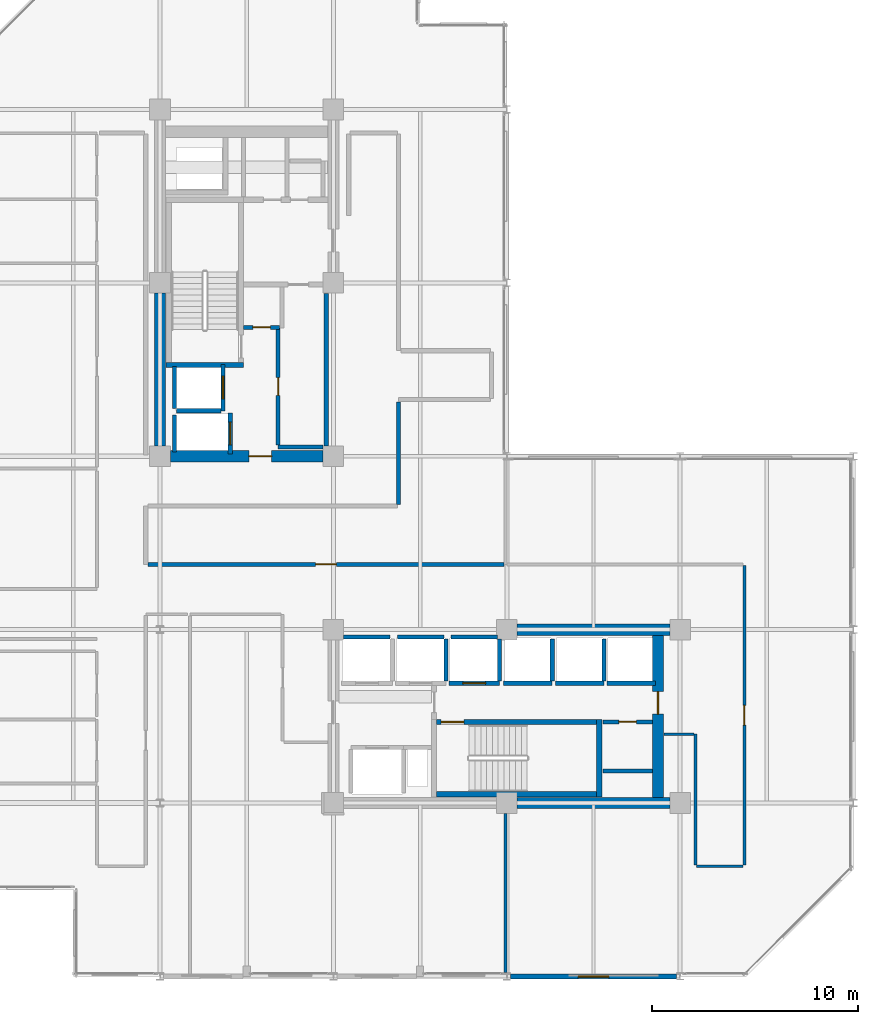
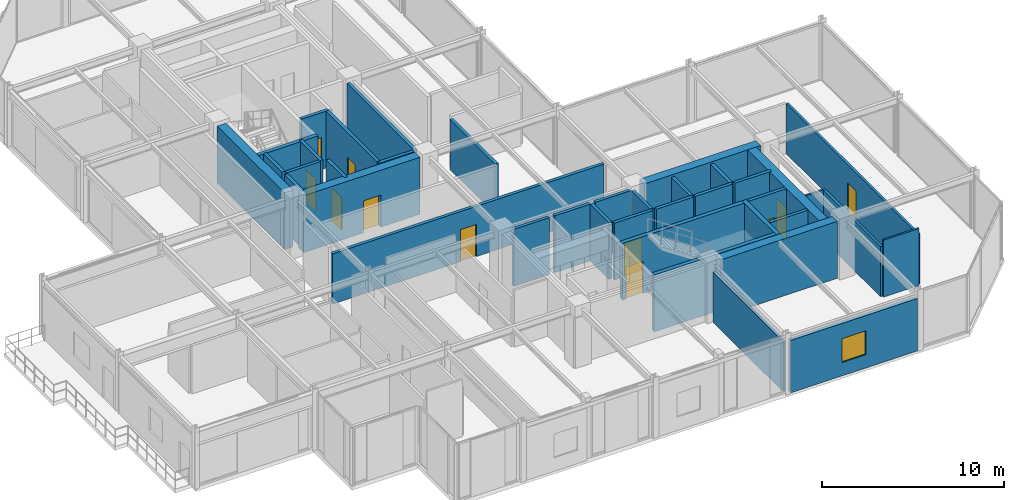
# One storey, part 25 of 29: 39 walls, 11 doors, 1 window, 12 openings.
"""IFC4 building model written with IfcOpenShell, lengths in metres."""

from ifc_helpers import new_model, si_unit, direction, frame, frame_2d, origin, place, context, subcontext, project, spatial, rectangle, extrude, material, layer, layer_set, type_object, element, fill, save


model = new_model("IFC4")

# Units and contexts
model_context = context("Model", 3, precision=1e-05, world=origin(), true_north=direction((0.0, 1.0)))
body_context = subcontext(model_context, "Body", "Model", "MODEL_VIEW")
ifc_project = project(units=[si_unit("LENGTHUNIT", "METRE"), si_unit("AREAUNIT", "SQUARE_METRE"), si_unit("VOLUMEUNIT", "CUBIC_METRE"), si_unit("PLANEANGLEUNIT", "RADIAN"), si_unit("MASSUNIT", "GRAM", prefix="KILO")], contexts=[model_context])

# Site, building, storey
site_placement = place(None, origin())
site = spatial("IfcSite", under=ifc_project, at=site_placement, CompositionType="ELEMENT")
building_placement = place(site_placement, origin())
building = spatial("IfcBuilding", under=site, at=building_placement, Name="Nerrivon Quay Data Exchange", CompositionType="ELEMENT")
storey_placement = place(building_placement, frame((0.0, 0.0, 187.800048828125)))
storey = spatial("IfcBuildingStorey", under=building, at=storey_placement, Name="L44", CompositionType="ELEMENT", Elevation=187.800048828125)

# Wall, opening, window
ifc_material_1 = material(Name="Architectural terracotta precast concrete N50 (50 MPa)", Category="masonry")
ifc_layer_1 = layer(ifc_material_1, 0.239990234375)
ifc_layer_set_1 = layer_set([ifc_layer_1], Name="Architectural terracotta precast concrete N50 (50 MPa)")
wall_type_1 = type_object("IfcWallType", Name="EW-PREC-240", PredefinedType="STANDARD", material=ifc_layer_set_1)
wall_1_placement = place(storey_placement, frame((33.425048828125, 0.0, 0.0), z_axis=(0.0, 0.0, 1.0), x_axis=(-1.0, 0.0, 0.0)))
wall_1 = element("IfcWall", 1, at=wall_1_placement, inside=storey, type_object=wall_type_1, Name="L44 Podium Precast Spandrel Wall 23", PredefinedType="STANDARD", context=body_context, shape_type="SweptSolid", body=[
    extrude(rectangle(XDim=8.050048828125, YDim=0.239990234375, at=frame_2d((4.02490234375, 0.0))), origin(), (0.0, 0.0, 1.0), 3.52490234375),
])
opening_1_placement = place(wall_1_placement, frame((3.27490234375, 0.0, 0.89990234375)))
opening_1 = element("IfcOpeningElement", 2, at=opening_1_placement, cuts=wall_1, Name="Opening WN4", PredefinedType="OPENING", context=body_context, shape_type="SweptSolid", body=[
    extrude(rectangle(XDim=1.5, YDim=1.60009765625, at=frame_2d((0.75, 0.800048828125))), frame((0.0, 0.1298828125, 0.0), z_axis=(0.0, -1.0, 0.0), x_axis=(1.0, 0.0, 0.0)), (0.0, 0.0, 1.0), 0.260009765625),
])
ifc_material_2 = material(Name="Double-glazed low-E solar control glass", Category="glass")
window_type = type_object("IfcWindowType", Name="WIN-W4-1500x1600", PartitioningType="SINGLE_PANEL", PredefinedType="WINDOW", material=ifc_material_2)
window_placement = place(opening_1_placement, origin())
window = element("IfcWindow", 3, at=window_placement, inside=storey, type_object=window_type, Name="L44 Solar Facade Window 23", OverallHeight=1.60009765625, OverallWidth=1.5, PartitioningType="SINGLE_PANEL", PredefinedType="WINDOW", context=body_context, shape_type="SweptSolid", body=[
    extrude(rectangle(XDim=1.5, YDim=1.60009765625, at=frame_2d((0.75, 0.800048828125))), frame((0.0, 0.030029296875, 0.0), z_axis=(0.0, -1.0, 0.0), x_axis=(1.0, 0.0, 0.0)), (0.0, 0.0, 1.0), 0.06005859375),
])
fill(opening_1, window)

# Wall
ifc_material_3 = material(Name="Concrete S65 (65 MPa)", Category="concrete")
ifc_layer_2 = layer(ifc_material_3, 0.550048828125)
ifc_layer_set_2 = layer_set([ifc_layer_2], Name="Concrete S65 (65 MPa)")
wall_type_2 = type_object("IfcWallType", Name="WALL-CW-700", PredefinedType="SHEAR", material=ifc_layer_set_2)
wall_2_placement = place(storey_placement, frame((8.39990234375, 25.699951171875, 0.0), z_axis=(0.0, 0.0, 1.0), x_axis=(0.0, 1.0, 0.0)))
element("IfcWall", 4, at=wall_2_placement, inside=storey, type_object=wall_type_2, Name="L44 West Split-Core Shear Wall WCW-W1", PredefinedType="SHEAR", context=body_context, shape_type="SweptSolid", body=[
    extrude(rectangle(XDim=7.400146484375, YDim=0.550048828125, at=frame_2d((3.7001953125, 0.0))), origin(), (0.0, 0.0, 1.0), 3.824951171875),
])

# Wall, opening, door
wall_3_placement = place(storey_placement, frame((8.89990234375, 25.199951171875, 0.0), z_axis=(0.0, 0.0, 1.0), x_axis=(1.0, 0.0, 0.0)))
wall_3 = element("IfcWall", 5, at=wall_3_placement, inside=storey, type_object=wall_type_2, Name="L44 West Split-Core Shear Wall WCW-S1", PredefinedType="SHEAR", context=body_context, shape_type="SweptSolid", body=[
    extrude(rectangle(XDim=7.400146484375, YDim=0.550048828125, at=frame_2d((3.7001953125, 0.0))), origin(), (0.0, 0.0, 1.0), 3.824951171875),
])
opening_2_placement = place(wall_3_placement, frame((3.800048828125, 0.0, 0.0)))
opening_2 = element("IfcOpeningElement", 6, at=opening_2_placement, cuts=wall_3, Name="Opening FD-120", PredefinedType="OPENING", context=body_context, shape_type="SweptSolid", body=[
    extrude(rectangle(XDim=1.10009765625, YDim=2.14990234375, at=frame_2d((0.550048828125, 1.074951171875))), frame((0.0, 0.284912109375, 0.0), z_axis=(0.0, -1.0, 0.0), x_axis=(1.0, 0.0, 0.0)), (0.0, 0.0, 1.0), 0.570068359375),
])
ifc_material_4 = material(Name="Powder-coated galvanized steel sheet", Category="steel")
door_type_1 = type_object("IfcDoorType", Name="DR-FD120-1100", OperationType="NOTDEFINED", PredefinedType="DOOR", material=ifc_material_4)
door_1_placement = place(opening_2_placement, origin())
door_1 = element("IfcDoor", 7, at=door_1_placement, inside=storey, type_object=door_type_1, Name="L44 West Core Lobby Fire Door", OperationType="SINGLE_SWING_RIGHT", OverallHeight=2.14990234375, OverallWidth=1.10009765625, PredefinedType="DOOR", context=body_context, shape_type="SweptSolid", body=[
    extrude(rectangle(XDim=1.10009765625, YDim=2.14990234375, at=frame_2d((0.550048828125, 1.074951171875))), frame((0.0, 0.02490234375, 0.0), z_axis=(0.0, -1.0, 0.0), x_axis=(1.0, 0.0, 0.0)), (0.0, 0.0, 1.0), 0.050048828125),
])
fill(opening_2, door_1)

# Wall
wall_4_placement = place(storey_placement, frame((25.699951171875, 8.39990234375, 0.0), z_axis=(0.0, 0.0, 1.0), x_axis=(1.0, 0.0, 0.0)))
element("IfcWall", 8, at=wall_4_placement, inside=storey, type_object=wall_type_2, Name="L44 East Split-Core Shear Wall ECW-S2", PredefinedType="SHEAR", context=body_context, shape_type="SweptSolid", body=[
    extrude(rectangle(XDim=7.400146484375, YDim=0.550048828125, at=frame_2d((3.7001953125, 0.0))), origin(), (0.0, 0.0, 1.0), 3.824951171875),
])

# Wall, opening, door
wall_5_placement = place(storey_placement, frame((32.52490234375, 8.675048828125, 0.0), z_axis=(0.0, 0.0, 1.0), x_axis=(0.0, 1.0, 0.0)))
wall_5 = element("IfcWall", 9, at=wall_5_placement, inside=storey, type_object=wall_type_2, Name="L44 East Split-Core Shear Wall ECW-E1", PredefinedType="SHEAR", context=body_context, shape_type="SweptSolid", body=[
    extrude(rectangle(XDim=7.849853515625, YDim=0.550048828125, at=frame_2d((3.9248046875, 0.0))), origin(), (0.0, 0.0, 1.0), 3.824951171875),
])
opening_3_placement = place(wall_5_placement, frame((4.02490234375, 0.0, 0.0)))
opening_3 = element("IfcOpeningElement", 10, at=opening_3_placement, cuts=wall_5, Name="Opening FD-120", PredefinedType="OPENING", context=body_context, shape_type="SweptSolid", body=[
    extrude(rectangle(XDim=1.10009765625, YDim=2.14990234375, at=frame_2d((0.550048828125, 1.074951171875))), frame((0.0, 0.284912109375, 0.0), z_axis=(0.0, -1.0, 0.0), x_axis=(1.0, 0.0, 0.0)), (0.0, 0.0, 1.0), 0.570068359375),
])
door_2_placement = place(opening_3_placement, origin())
door_2 = element("IfcDoor", 11, at=door_2_placement, inside=storey, type_object=door_type_1, Name="L44 East Core Lobby Fire Door", OperationType="SINGLE_SWING_LEFT", OverallHeight=2.14990234375, OverallWidth=1.10009765625, PredefinedType="DOOR", context=body_context, shape_type="SweptSolid", body=[
    extrude(rectangle(XDim=1.10009765625, YDim=2.14990234375, at=frame_2d((0.550048828125, 1.074951171875))), frame((0.0, 0.02490234375, 0.0), z_axis=(0.0, -1.0, 0.0), x_axis=(1.0, 0.0, 0.0)), (0.0, 0.0, 1.0), 0.050048828125),
])
fill(opening_3, door_2)

# Wall
wall_6_placement = place(storey_placement, frame((25.699951171875, 16.800048828125, 0.0), z_axis=(0.0, 0.0, 1.0), x_axis=(1.0, 0.0, 0.0)))
element("IfcWall", 12, at=wall_6_placement, inside=storey, type_object=wall_type_2, Name="L44 East Split-Core Shear Wall ECW-N1", PredefinedType="SHEAR", context=body_context, shape_type="SweptSolid", body=[
    extrude(rectangle(XDim=7.400146484375, YDim=0.550048828125, at=frame_2d((3.7001953125, 0.0))), origin(), (0.0, 0.0, 1.0), 3.824951171875),
])

# Wall, opening, door
ifc_material_5 = material(Name="Gypsum plasterboard on cold-formed framing", Category="gypsum")
ifc_layer_3 = layer(ifc_material_5, 0.199951171875)
ifc_layer_set_3 = layer_set([ifc_layer_3], Name="Gypsum plasterboard on cold-formed framing")
wall_type_3 = type_object("IfcWallType", Name="WALL-FW-200", PredefinedType="PARTITIONING", material=ifc_layer_set_3)
wall_7_placement = place(storey_placement, frame((11.449951171875, 27.39990234375, 0.0), z_axis=(0.0, 0.0, 1.0), x_axis=(0.0, 1.0, 0.0)))
wall_7 = element("IfcWall", 13, at=wall_7_placement, inside=storey, type_object=wall_type_3, Name="L44 Lift Front Wall FFL-1", PredefinedType="PARTITIONING", context=body_context, shape_type="SweptSolid", body=[
    extrude(rectangle(XDim=2.25, YDim=0.199951171875, at=frame_2d((1.125, 0.0))), origin(), (0.0, 0.0, 1.0), 3.824951171875),
])
opening_4_placement = place(wall_7_placement, frame((0.574951171875, 0.0, 0.0)))
opening_4 = element("IfcOpeningElement", 14, at=opening_4_placement, cuts=wall_7, Name="Opening LD-120", PredefinedType="OPENING", context=body_context, shape_type="SweptSolid", body=[
    extrude(rectangle(XDim=1.10009765625, YDim=2.199951171875, at=frame_2d((0.550048828125, 1.10009765625))), frame((0.0, 0.10986328125, 0.0), z_axis=(0.0, -1.0, 0.0), x_axis=(1.0, 0.0, 0.0)), (0.0, 0.0, 1.0), 0.219970703125),
])
door_type_2 = type_object("IfcDoorType", Name="DR-LIFT-LD120", OperationType="DOUBLE_DOOR_SLIDING", PredefinedType="DOOR", material=ifc_material_4)
door_3_placement = place(opening_4_placement, origin())
door_3 = element("IfcDoor", 15, at=door_3_placement, inside=storey, type_object=door_type_2, Name="L44 Lift Landing Sliding Door FFL-1", OperationType="DOUBLE_DOOR_SLIDING", OverallHeight=2.199951171875, OverallWidth=1.10009765625, PredefinedType="DOOR", context=body_context, shape_type="SweptSolid", body=[
    extrude(rectangle(XDim=1.10009765625, YDim=2.199951171875, at=frame_2d((0.550048828125, 1.10009765625))), frame((0.0, 0.02490234375, 0.0), z_axis=(0.0, -1.0, 0.0), x_axis=(1.0, 0.0, 0.0)), (0.0, 0.0, 1.0), 0.050048828125),
])
fill(opening_4, door_3)

# Walls
wall_8_placement = place(storey_placement, frame((9.10009765625, 27.5, 0.0), z_axis=(0.0, 0.0, 1.0), x_axis=(0.0, 1.0, 0.0)))
element("IfcWall", 16, at=wall_8_placement, inside=storey, type_object=wall_type_3, Name="L44 Lift Shaft Wall FFL-1 WEST", PredefinedType="PARTITIONING", context=body_context, shape_type="SweptSolid", body=[
    extrude(rectangle(XDim=2.050048828125, YDim=0.199951171875, at=frame_2d((1.02490234375, 0.0))), origin(), (0.0, 0.0, 1.0), 3.824951171875),
])
wall_9_placement = place(storey_placement, frame((9.199951171875, 27.39990234375, 0.0), z_axis=(0.0, 0.0, 1.0), x_axis=(1.0, 0.0, 0.0)))
element("IfcWall", 17, at=wall_9_placement, inside=storey, type_object=wall_type_3, Name="L44 Lift Shaft Wall FFL-1 SOUTH", PredefinedType="PARTITIONING", context=body_context, shape_type="SweptSolid", body=[
    extrude(rectangle(XDim=2.150146484375, YDim=0.199951171875, at=frame_2d((1.0751953125, 0.0))), origin(), (0.0, 0.0, 1.0), 3.824951171875),
])

# Wall, opening, door
wall_10_placement = place(storey_placement, frame((11.800048828125, 25.300048828125, 0.0), z_axis=(0.0, 0.0, 1.0), x_axis=(0.0, 1.0, 0.0)))
wall_10 = element("IfcWall", 18, at=wall_10_placement, inside=storey, type_object=wall_type_3, Name="L44 Lift Front Wall SVL-1", PredefinedType="PARTITIONING", context=body_context, shape_type="SweptSolid", body=[
    extrude(rectangle(XDim=2.0, YDim=0.199951171875, at=frame_2d((1.0, 0.0))), origin(), (0.0, 0.0, 1.0), 3.824951171875),
])
opening_5_placement = place(wall_10_placement, frame((0.449951171875, 0.0, 0.0)))
opening_5 = element("IfcOpeningElement", 19, at=opening_5_placement, cuts=wall_10, Name="Opening LD-120", PredefinedType="OPENING", context=body_context, shape_type="SweptSolid", body=[
    extrude(rectangle(XDim=1.10009765625, YDim=2.199951171875, at=frame_2d((0.550048828125, 1.10009765625))), frame((0.0, 0.10986328125, 0.0), z_axis=(0.0, -1.0, 0.0), x_axis=(1.0, 0.0, 0.0)), (0.0, 0.0, 1.0), 0.219970703125),
])
door_4_placement = place(opening_5_placement, origin())
door_4 = element("IfcDoor", 20, at=door_4_placement, inside=storey, type_object=door_type_2, Name="L44 Lift Landing Sliding Door SVL-1", OperationType="DOUBLE_DOOR_SLIDING", OverallHeight=2.199951171875, OverallWidth=1.10009765625, PredefinedType="DOOR", context=body_context, shape_type="SweptSolid", body=[
    extrude(rectangle(XDim=1.10009765625, YDim=2.199951171875, at=frame_2d((0.550048828125, 1.10009765625))), frame((0.0, 0.02490234375, 0.0), z_axis=(0.0, -1.0, 0.0), x_axis=(1.0, 0.0, 0.0)), (0.0, 0.0, 1.0), 0.050048828125),
])
fill(opening_5, door_4)

# Walls
wall_11_placement = place(storey_placement, frame((9.10009765625, 25.39990234375, 0.0), z_axis=(0.0, 0.0, 1.0), x_axis=(0.0, 1.0, 0.0)))
element("IfcWall", 21, at=wall_11_placement, inside=storey, type_object=wall_type_3, Name="L44 Lift Shaft Wall SVL-1 WEST", PredefinedType="PARTITIONING", context=body_context, shape_type="SweptSolid", body=[
    extrude(rectangle(XDim=1.800048828125, YDim=0.199951171875, at=frame_2d((0.89990234375, 0.0))), origin(), (0.0, 0.0, 1.0), 3.824951171875),
])
wall_12_placement = place(storey_placement, frame((17.300048828125, 16.449951171875, 0.0), z_axis=(0.0, 0.0, 1.0), x_axis=(1.0, 0.0, 0.0)))
element("IfcWall", 22, at=wall_12_placement, inside=storey, type_object=wall_type_3, Name="L44 Lift Shaft Wall PL4 NORTH", PredefinedType="PARTITIONING", context=body_context, shape_type="SweptSolid", body=[
    extrude(rectangle(XDim=2.25, YDim=0.199951171875, at=frame_2d((1.125, 0.0))), origin(), (0.0, 0.0, 1.0), 3.824951171875),
])
wall_13_placement = place(storey_placement, frame((22.25, 14.300048828125, 0.0), z_axis=(0.0, 0.0, 1.0), x_axis=(0.0, 1.0, 0.0)))
element("IfcWall", 23, at=wall_13_placement, inside=storey, type_object=wall_type_3, Name="L44 Lift Shaft Wall PL5 EAST", PredefinedType="PARTITIONING", context=body_context, shape_type="SweptSolid", body=[
    extrude(rectangle(XDim=2.050048828125, YDim=0.199951171875, at=frame_2d((1.02490234375, 0.0))), origin(), (0.0, 0.0, 1.0), 3.824951171875),
])
wall_14_placement = place(storey_placement, frame((19.89990234375, 16.449951171875, 0.0), z_axis=(0.0, 0.0, 1.0), x_axis=(1.0, 0.0, 0.0)))
element("IfcWall", 24, at=wall_14_placement, inside=storey, type_object=wall_type_3, Name="L44 Lift Shaft Wall PL5 NORTH", PredefinedType="PARTITIONING", context=body_context, shape_type="SweptSolid", body=[
    extrude(rectangle(XDim=2.25, YDim=0.199951171875, at=frame_2d((1.125, 0.0))), origin(), (0.0, 0.0, 1.0), 3.824951171875),
])

# Wall, opening, door
wall_15_placement = place(storey_placement, frame((22.39990234375, 14.199951171875, 0.0), z_axis=(0.0, 0.0, 1.0), x_axis=(1.0, 0.0, 0.0)))
wall_15 = element("IfcWall", 25, at=wall_15_placement, inside=storey, type_object=wall_type_3, Name="L44 Lift Front Wall PL6", PredefinedType="PARTITIONING", context=body_context, shape_type="SweptSolid", body=[
    extrude(rectangle(XDim=2.4501953125, YDim=0.199951171875, at=frame_2d((1.22509765625, 0.0))), origin(), (0.0, 0.0, 1.0), 3.824951171875),
])
opening_6_placement = place(wall_15_placement, frame((0.675048828125, 0.0, 0.0)))
opening_6 = element("IfcOpeningElement", 26, at=opening_6_placement, cuts=wall_15, Name="Opening LD-120", PredefinedType="OPENING", context=body_context, shape_type="SweptSolid", body=[
    extrude(rectangle(XDim=1.10009765625, YDim=2.199951171875, at=frame_2d((0.550048828125, 1.10009765625))), frame((0.0, 0.10986328125, 0.0), z_axis=(0.0, -1.0, 0.0), x_axis=(1.0, 0.0, 0.0)), (0.0, 0.0, 1.0), 0.219970703125),
])
door_5_placement = place(opening_6_placement, origin())
door_5 = element("IfcDoor", 27, at=door_5_placement, inside=storey, type_object=door_type_2, Name="L44 Lift Landing Sliding Door PL6", OperationType="DOUBLE_DOOR_SLIDING", OverallHeight=2.199951171875, OverallWidth=1.10009765625, PredefinedType="DOOR", context=body_context, shape_type="SweptSolid", body=[
    extrude(rectangle(XDim=1.10009765625, YDim=2.199951171875, at=frame_2d((0.550048828125, 1.10009765625))), frame((0.0, 0.02490234375, 0.0), z_axis=(0.0, -1.0, 0.0), x_axis=(1.0, 0.0, 0.0)), (0.0, 0.0, 1.0), 0.050048828125),
])
fill(opening_6, door_5)

# Walls
wall_16_placement = place(storey_placement, frame((24.85009765625, 14.300048828125, 0.0), z_axis=(0.0, 0.0, 1.0), x_axis=(0.0, 1.0, 0.0)))
element("IfcWall", 28, at=wall_16_placement, inside=storey, type_object=wall_type_3, Name="L44 Lift Shaft Wall PL6 EAST", PredefinedType="PARTITIONING", context=body_context, shape_type="SweptSolid", body=[
    extrude(rectangle(XDim=2.050048828125, YDim=0.199951171875, at=frame_2d((1.02490234375, 0.0))), origin(), (0.0, 0.0, 1.0), 3.824951171875),
])
wall_17_placement = place(storey_placement, frame((22.5, 16.449951171875, 0.0), z_axis=(0.0, 0.0, 1.0), x_axis=(1.0, 0.0, 0.0)))
element("IfcWall", 29, at=wall_17_placement, inside=storey, type_object=wall_type_3, Name="L44 Lift Shaft Wall PL6 NORTH", PredefinedType="PARTITIONING", context=body_context, shape_type="SweptSolid", body=[
    extrude(rectangle(XDim=2.25, YDim=0.199951171875, at=frame_2d((1.125, 0.0))), origin(), (0.0, 0.0, 1.0), 3.824951171875),
])
wall_18_placement = place(storey_placement, frame((25.050048828125, 14.199951171875, 0.0), z_axis=(0.0, 0.0, 1.0), x_axis=(1.0, 0.0, 0.0)))
element("IfcWall", 30, at=wall_18_placement, inside=storey, type_object=wall_type_3, Name="L44 Lift Front Wall PL7", PredefinedType="PARTITIONING", context=body_context, shape_type="SweptSolid", body=[
    extrude(rectangle(XDim=2.349853515625, YDim=0.199951171875, at=frame_2d((1.1748046875, 0.0))), origin(), (0.0, 0.0, 1.0), 3.824951171875),
])
wall_19_placement = place(storey_placement, frame((27.39990234375, 14.300048828125, 0.0), z_axis=(0.0, 0.0, 1.0), x_axis=(0.0, 1.0, 0.0)))
element("IfcWall", 31, at=wall_19_placement, inside=storey, type_object=wall_type_3, Name="L44 Lift Shaft Wall PL7 EAST", PredefinedType="PARTITIONING", context=body_context, shape_type="SweptSolid", body=[
    extrude(rectangle(XDim=2.050048828125, YDim=0.199951171875, at=frame_2d((1.02490234375, 0.0))), origin(), (0.0, 0.0, 1.0), 3.824951171875),
])
wall_20_placement = place(storey_placement, frame((27.550048828125, 14.199951171875, 0.0), z_axis=(0.0, 0.0, 1.0), x_axis=(1.0, 0.0, 0.0)))
element("IfcWall", 32, at=wall_20_placement, inside=storey, type_object=wall_type_3, Name="L44 Lift Front Wall PL8", PredefinedType="PARTITIONING", context=body_context, shape_type="SweptSolid", body=[
    extrude(rectangle(XDim=2.349853515625, YDim=0.199951171875, at=frame_2d((1.1748046875, 0.0))), origin(), (0.0, 0.0, 1.0), 3.824951171875),
])
wall_21_placement = place(storey_placement, frame((29.89990234375, 14.300048828125, 0.0), z_axis=(0.0, 0.0, 1.0), x_axis=(0.0, 1.0, 0.0)))
element("IfcWall", 33, at=wall_21_placement, inside=storey, type_object=wall_type_3, Name="L44 Lift Shaft Wall PL8 EAST", PredefinedType="PARTITIONING", context=body_context, shape_type="SweptSolid", body=[
    extrude(rectangle(XDim=2.050048828125, YDim=0.199951171875, at=frame_2d((1.02490234375, 0.0))), origin(), (0.0, 0.0, 1.0), 3.824951171875),
])
wall_22_placement = place(storey_placement, frame((30.050048828125, 14.199951171875, 0.0), z_axis=(0.0, 0.0, 1.0), x_axis=(1.0, 0.0, 0.0)))
element("IfcWall", 34, at=wall_22_placement, inside=storey, type_object=wall_type_3, Name="L44 Lift Front Wall PL9", PredefinedType="PARTITIONING", context=body_context, shape_type="SweptSolid", body=[
    extrude(rectangle(XDim=2.349853515625, YDim=0.199951171875, at=frame_2d((1.1748046875, 0.0))), origin(), (0.0, 0.0, 1.0), 3.824951171875),
])
wall_23_placement = place(storey_placement, frame((14.1201171875, 25.64990234375, 0.0), z_axis=(0.0, 0.0, 1.0), x_axis=(1.0, 0.0, 0.0)))
element("IfcWall", 35, at=wall_23_placement, inside=storey, type_object=wall_type_3, Name="L44 Partition Core Equipment Store", PredefinedType="PARTITIONING", context=body_context, shape_type="SweptSolid", body=[
    extrude(rectangle(XDim=2.1748046875, YDim=0.199951171875, at=frame_2d((1.08740234375, 0.0))), origin(), (0.0, 0.0, 1.0), 3.824951171875),
])
wall_24_placement = place(storey_placement, frame((16.449951171875, 25.705078125, 0.0), z_axis=(0.0, 0.0, 1.0), x_axis=(0.0, 1.0, 0.0)))
element("IfcWall", 36, at=wall_24_placement, inside=storey, type_object=wall_type_3, Name="L44 Partition Core Equipment Store", PredefinedType="PARTITIONING", context=body_context, shape_type="SweptSolid", body=[
    extrude(rectangle(XDim=7.389892578125, YDim=0.199951171875, at=frame_2d((3.69482421875, 0.0))), origin(), (0.0, 0.0, 1.0), 3.824951171875),
])

# Wall, opening, door
wall_25_placement = place(storey_placement, frame((14.1201171875, 31.39990234375, 0.0), z_axis=(0.0, 0.0, 1.0), x_axis=(0.0, -1.0, 0.0)))
wall_25 = element("IfcWall", 37, at=wall_25_placement, inside=storey, type_object=wall_type_3, Name="L44 Partition Core Equipment Store", PredefinedType="PARTITIONING", context=body_context, shape_type="SweptSolid", body=[
    extrude(rectangle(XDim=5.64599609375, YDim=0.199951171875, at=frame_2d((2.822998046875, 0.0))), origin(), (0.0, 0.0, 1.0), 3.824951171875),
])
opening_7_placement = place(wall_25_placement, frame((2.39794921875, 0.0, 0.0)))
opening_7 = element("IfcOpeningElement", 38, at=opening_7_placement, cuts=wall_25, Name="Opening FD-60S", PredefinedType="OPENING", context=body_context, shape_type="SweptSolid", body=[
    extrude(rectangle(XDim=0.85009765625, YDim=2.14990234375, at=frame_2d((0.425048828125, 1.074951171875))), frame((0.0, 0.10986328125, 0.0), z_axis=(0.0, -1.0, 0.0), x_axis=(1.0, 0.0, 0.0)), (0.0, 0.0, 1.0), 0.219970703125),
])
ifc_material_6 = material(Name="Engineered hardwood timber", Category="wood")
door_type_3 = type_object("IfcDoorType", Name="DR-FD60-850", OperationType="NOTDEFINED", PredefinedType="DOOR", material=ifc_material_6)
door_6_placement = place(opening_7_placement, origin())
door_6 = element("IfcDoor", 39, at=door_6_placement, inside=storey, type_object=door_type_3, Name="L44 Door Core Equipment Store", OperationType="SINGLE_SWING_LEFT", OverallHeight=2.14990234375, OverallWidth=0.85009765625, PredefinedType="DOOR", context=body_context, shape_type="SweptSolid", body=[
    extrude(rectangle(XDim=0.85009765625, YDim=2.14990234375, at=frame_2d((0.425048828125, 1.074951171875))), frame((0.0, 0.02490234375, 0.0), z_axis=(0.0, -1.0, 0.0), x_axis=(1.0, 0.0, 0.0)), (0.0, 0.0, 1.0), 0.050048828125),
])
fill(opening_7, door_6)

wall_26_placement = place(storey_placement, frame((12.4541015625, 31.43994140625, 0.0), z_axis=(0.0, 0.0, 1.0), x_axis=(1.0, 0.0, 0.0)))
wall_26 = element("IfcWall", 40, at=wall_26_placement, inside=storey, type_object=wall_type_3, Name="L44 Partition Optical Patch Closet", PredefinedType="PARTITIONING", context=body_context, shape_type="SweptSolid", body=[
    extrude(rectangle(XDim=1.725830078125, YDim=0.199951171875, at=frame_2d((0.86279296875, 0.0))), origin(), (0.0, 0.0, 1.0), 3.824951171875),
])
opening_8_placement = place(wall_26_placement, frame((0.43798828125, 0.0, 0.0)))
opening_8 = element("IfcOpeningElement", 41, at=opening_8_placement, cuts=wall_26, Name="Opening FD-60S", PredefinedType="OPENING", context=body_context, shape_type="SweptSolid", body=[
    extrude(rectangle(XDim=0.85009765625, YDim=2.14990234375, at=frame_2d((0.425048828125, 1.074951171875))), frame((0.0, 0.10986328125, 0.0), z_axis=(0.0, -1.0, 0.0), x_axis=(1.0, 0.0, 0.0)), (0.0, 0.0, 1.0), 0.219970703125),
])
door_7_placement = place(opening_8_placement, origin())
door_7 = element("IfcDoor", 42, at=door_7_placement, inside=storey, type_object=door_type_3, Name="L44 Door Optical Patch Closet", OperationType="SINGLE_SWING_RIGHT", OverallHeight=2.14990234375, OverallWidth=0.85009765625, PredefinedType="DOOR", context=body_context, shape_type="SweptSolid", body=[
    extrude(rectangle(XDim=0.85009765625, YDim=2.14990234375, at=frame_2d((0.425048828125, 1.074951171875))), frame((0.0, 0.02490234375, 0.0), z_axis=(0.0, -1.0, 0.0), x_axis=(1.0, 0.0, 0.0)), (0.0, 0.0, 1.0), 0.050048828125),
])
fill(opening_8, door_7)

wall_27_placement = place(storey_placement, frame((32.24609375, 12.330078125, 0.0), z_axis=(0.0, 0.0, 1.0), x_axis=(-1.0, 0.0, 0.0)))
wall_27 = element("IfcWall", 43, at=wall_27_placement, inside=storey, type_object=wall_type_3, Name="L44 Partition East Supply Store", PredefinedType="PARTITIONING", context=body_context, shape_type="SweptSolid", body=[
    extrude(rectangle(XDim=2.39599609375, YDim=0.199951171875, at=frame_2d((1.197998046875, 0.0))), origin(), (0.0, 0.0, 1.0), 3.824951171875),
])
opening_9_placement = place(wall_27_placement, frame((0.77294921875, 0.0, 0.0)))
opening_9 = element("IfcOpeningElement", 44, at=opening_9_placement, cuts=wall_27, Name="Opening FD-60S", PredefinedType="OPENING", context=body_context, shape_type="SweptSolid", body=[
    extrude(rectangle(XDim=0.85009765625, YDim=2.14990234375, at=frame_2d((0.425048828125, 1.074951171875))), frame((0.0, 0.10986328125, 0.0), z_axis=(0.0, -1.0, 0.0), x_axis=(1.0, 0.0, 0.0)), (0.0, 0.0, 1.0), 0.219970703125),
])
door_8_placement = place(opening_9_placement, origin())
door_8 = element("IfcDoor", 45, at=door_8_placement, inside=storey, type_object=door_type_3, Name="L44 Door East Supply Store", OperationType="SINGLE_SWING_LEFT", OverallHeight=2.14990234375, OverallWidth=0.85009765625, PredefinedType="DOOR", context=body_context, shape_type="SweptSolid", body=[
    extrude(rectangle(XDim=0.85009765625, YDim=2.14990234375, at=frame_2d((0.425048828125, 1.074951171875))), frame((0.0, 0.02490234375, 0.0), z_axis=(0.0, -1.0, 0.0), x_axis=(1.0, 0.0, 0.0)), (0.0, 0.0, 1.0), 0.050048828125),
])
fill(opening_9, door_8)

# Wall
wall_28_placement = place(storey_placement, frame((29.85009765625, 9.949951171875, 0.0), z_axis=(0.0, 0.0, 1.0), x_axis=(1.0, 0.0, 0.0)))
element("IfcWall", 46, at=wall_28_placement, inside=storey, type_object=wall_type_3, Name="L44 Partition East Supply Store", PredefinedType="PARTITIONING", context=body_context, shape_type="SweptSolid", body=[
    extrude(rectangle(XDim=2.39599609375, YDim=0.199951171875, at=frame_2d((1.197998046875, 0.0))), origin(), (0.0, 0.0, 1.0), 3.824951171875),
])

# Wall, opening, door
wall_29_placement = place(storey_placement, frame((7.81396484375, 19.9599609375, 0.0), z_axis=(0.0, 0.0, 1.0), x_axis=(1.0, 0.0, 0.0)))
wall_29 = element("IfcWall", 47, at=wall_29_placement, inside=storey, type_object=wall_type_3, Name="L44 Partition Colocation Data Workspace 1", PredefinedType="PARTITIONING", context=body_context, shape_type="SweptSolid", body=[
    extrude(rectangle(XDim=17.25244140625, YDim=0.199951171875, at=frame_2d((8.626220703125, 0.0))), origin(), (0.0, 0.0, 1.0), 3.370849609375),
])
opening_10_placement = place(wall_29_placement, frame((8.126220703125, 0.0, 0.0)))
opening_10 = element("IfcOpeningElement", 48, at=opening_10_placement, cuts=wall_29, Name="Opening FD-60", PredefinedType="OPENING", context=body_context, shape_type="SweptSolid", body=[
    extrude(rectangle(XDim=1.0, YDim=2.14990234375, at=frame_2d((0.5, 1.074951171875))), frame((0.0, 0.10986328125, 0.0), z_axis=(0.0, -1.0, 0.0), x_axis=(1.0, 0.0, 0.0)), (0.0, 0.0, 1.0), 0.219970703125),
])
door_type_4 = type_object("IfcDoorType", Name="DR-FD60-1000", OperationType="NOTDEFINED", PredefinedType="DOOR", material=ifc_material_6)
door_9_placement = place(opening_10_placement, origin())
door_9 = element("IfcDoor", 49, at=door_9_placement, inside=storey, type_object=door_type_4, Name="L44 Door Colocation Data Workspace 1", OperationType="SINGLE_SWING_RIGHT", OverallHeight=2.14990234375, OverallWidth=1.0, PredefinedType="DOOR", context=body_context, shape_type="SweptSolid", body=[
    extrude(rectangle(XDim=1.0, YDim=2.14990234375, at=frame_2d((0.5, 1.074951171875))), frame((0.0, 0.02490234375, 0.0), z_axis=(0.0, -1.0, 0.0), x_axis=(1.0, 0.0, 0.0)), (0.0, 0.0, 1.0), 0.050048828125),
])
fill(opening_10, door_9)

# Walls
wall_30_placement = place(storey_placement, frame((19.9599609375, 27.8359375, 0.0), z_axis=(0.0, 0.0, 1.0), x_axis=(0.0, -1.0, 0.0)))
element("IfcWall", 50, at=wall_30_placement, inside=storey, type_object=wall_type_3, Name="L44 Partition Colocation Data Workspace 1", PredefinedType="PARTITIONING", context=body_context, shape_type="SweptSolid", body=[
    extrude(rectangle(XDim=4.98583984375, YDim=0.199951171875, at=frame_2d((2.492919921875, 0.0))), origin(), (0.0, 0.0, 1.0), 3.364990234375),
])
ifc_layer_4 = layer(ifc_material_5, 0.1201171875)
ifc_layer_set_4 = layer_set([ifc_layer_4], Name="Gypsum plasterboard on cold-formed framing")
wall_type_4 = type_object("IfcWallType", Name="WALL-PT-120", PredefinedType="PARTITIONING", material=ifc_layer_set_4)
wall_31_placement = place(storey_placement, frame((36.64990234375, 5.340087890625, 0.0), z_axis=(0.0, 0.0, 1.0), x_axis=(-1.0, 0.0, 0.0)))
element("IfcWall", 51, at=wall_31_placement, inside=storey, type_object=wall_type_4, Name="L44 Partition Technical Library", PredefinedType="PARTITIONING", context=body_context, shape_type="SweptSolid", body=[
    extrude(rectangle(XDim=2.25, YDim=0.1201171875, at=frame_2d((1.125, 0.0))), origin(), (0.0, 0.0, 1.0), 3.824951171875),
])
wall_32_placement = place(storey_placement, frame((34.260986328125, 11.739990234375, 0.0), z_axis=(0.0, 0.0, 1.0), x_axis=(-1.0, 0.0, 0.0)))
element("IfcWall", 52, at=wall_32_placement, inside=storey, type_object=wall_type_4, Name="L44 Partition Technical Library", PredefinedType="PARTITIONING", context=body_context, shape_type="SweptSolid", body=[
    extrude(rectangle(XDim=1.45703125, YDim=0.1201171875, at=frame_2d((0.728515625, 0.0))), origin(), (0.0, 0.0, 1.0), 3.370849609375),
])
ifc_layer_5 = layer(ifc_material_5, 0.14990234375)
ifc_layer_set_5 = layer_set([ifc_layer_5], Name="Gypsum plasterboard on cold-formed framing")
wall_type_5 = type_object("IfcWallType", Name="WALL-PT-150", PredefinedType="PARTITIONING", material=ifc_layer_set_5)
wall_33_placement = place(storey_placement, frame((25.137939453125, 0.195068359375, 0.0), z_axis=(0.0, 0.0, 1.0), x_axis=(0.0, 1.0, 0.0)))
element("IfcWall", 53, at=wall_33_placement, inside=storey, type_object=wall_type_5, Name="L44 Partition Client Conference Room 1", PredefinedType="PARTITIONING", context=body_context, shape_type="SweptSolid", body=[
    extrude(rectangle(XDim=7.684814453125, YDim=0.14990234375, at=frame_2d((3.84228515625, 0.0))), origin(), (0.0, 0.0, 1.0), 3.370849609375),
])

# Wall, opening, door
wall_34_placement = place(storey_placement, frame((36.7099609375, 19.89990234375, 0.0), z_axis=(0.0, 0.0, 1.0), x_axis=(0.0, -1.0, 0.0)))
wall_34 = element("IfcWall", 54, at=wall_34_placement, inside=storey, type_object=wall_type_5, Name="L44 Partition Technical Library", PredefinedType="PARTITIONING", context=body_context, shape_type="SweptSolid", body=[
    extrude(rectangle(XDim=14.5, YDim=0.14990234375, at=frame_2d((7.25, 0.0))), origin(), (0.0, 0.0, 1.0), 3.364990234375),
])
opening_11_placement = place(wall_34_placement, frame((6.77490234375, 0.0, 0.0)))
opening_11 = element("IfcOpeningElement", 55, at=opening_11_placement, cuts=wall_34, Name="Opening D-01", PredefinedType="OPENING", context=body_context, shape_type="SweptSolid", body=[
    extrude(rectangle(XDim=0.949951171875, YDim=2.14990234375, at=frame_2d((0.47509765625, 1.074951171875))), frame((0.0, 0.0849609375, 0.0), z_axis=(0.0, -1.0, 0.0), x_axis=(1.0, 0.0, 0.0)), (0.0, 0.0, 1.0), 0.169921875),
])
door_type_5 = type_object("IfcDoorType", Name="DR-INT-950", OperationType="NOTDEFINED", PredefinedType="DOOR", material=ifc_material_6)
door_10_placement = place(opening_11_placement, origin())
door_10 = element("IfcDoor", 56, at=door_10_placement, inside=storey, type_object=door_type_5, Name="L44 Door Technical Library", OperationType="SINGLE_SWING_LEFT", OverallHeight=2.14990234375, OverallWidth=0.949951171875, PredefinedType="DOOR", context=body_context, shape_type="SweptSolid", body=[
    extrude(rectangle(XDim=0.949951171875, YDim=2.14990234375, at=frame_2d((0.47509765625, 1.074951171875))), frame((0.0, 0.02490234375, 0.0), z_axis=(0.0, -1.0, 0.0), x_axis=(1.0, 0.0, 0.0)), (0.0, 0.0, 1.0), 0.050048828125),
])
fill(opening_11, door_10)

# Walls
wall_35_placement = place(storey_placement, frame((34.340087890625, 5.39990234375, 0.0), z_axis=(0.0, 0.0, 1.0), x_axis=(0.0, 1.0, 0.0)))
element("IfcWall", 57, at=wall_35_placement, inside=storey, type_object=wall_type_5, Name="L44 Partition Technical Library", PredefinedType="PARTITIONING", context=body_context, shape_type="SweptSolid", body=[
    extrude(rectangle(XDim=6.340087890625, YDim=0.14990234375, at=frame_2d((3.169921875, 0.0))), origin(), (0.0, 0.0, 1.0), 3.364990234375),
])
ifc_material_7 = material(Name="Concrete N50 (50 MPa)", Category="concrete")
ifc_layer_6 = layer(ifc_material_7, 0.25)
ifc_layer_set_6 = layer_set([ifc_layer_6], Name="Concrete N50 (50 MPa)")
wall_type_6 = type_object("IfcWallType", Name="WALL-SW-250", PredefinedType="SHEAR", material=ifc_layer_set_6)
for number, where, z_axis, x_axis, name in (
    (58, (12.449951171875, 29.625, 0.0), (0.0, 0.0, 1.0), (-1.0, 0.0, 0.0), "L44 ST01 Structural Stair Core Wall NEAR"),
    (59, (29.675048828125, 8.699951171875, 0.0), (0.0, 0.0, 1.0), (0.0, 1.0, 0.0), "L44 ST02 Structural Stair Core Wall FAR"),
):
    element("IfcWall", number, at=place(storey_placement, frame(where, z_axis=z_axis, x_axis=x_axis)), inside=storey, type_object=wall_type_6, Name=name, PredefinedType="SHEAR", context=body_context, shape_type="SweptSolid", body=[
        extrude(rectangle(XDim=3.75, YDim=0.25, at=frame_2d((1.875, 0.0))), origin(), (0.0, 0.0, 1.0), 3.824951171875),
    ])
wall_36_placement = place(storey_placement, frame((21.800048828125, 8.824951171875, 0.0), z_axis=(0.0, 0.0, 1.0), x_axis=(1.0, 0.0, 0.0)))
element("IfcWall", 60, at=wall_36_placement, inside=storey, type_object=wall_type_6, Name="L44 ST02 Structural Stair Core Wall LEFT", PredefinedType="SHEAR", context=body_context, shape_type="SweptSolid", body=[
    extrude(rectangle(XDim=7.75, YDim=0.25, at=frame_2d((3.875, 0.0))), origin(), (0.0, 0.0, 1.0), 3.824951171875),
])

# Wall, opening, door
wall_37_placement = place(storey_placement, frame((21.800048828125, 12.324951171875, 0.0), z_axis=(0.0, 0.0, 1.0), x_axis=(1.0, 0.0, 0.0)))
wall_37 = element("IfcWall", 61, at=wall_37_placement, inside=storey, type_object=wall_type_6, Name="L44 ST02 Structural Stair Core Wall RIGHT", PredefinedType="SHEAR", context=body_context, shape_type="SweptSolid", body=[
    extrude(rectangle(XDim=7.75, YDim=0.25, at=frame_2d((3.875, 0.0))), origin(), (0.0, 0.0, 1.0), 3.824951171875),
])
opening_12_placement = place(wall_37_placement, frame((0.219970703125, 0.0, 0.0)))
opening_12 = element("IfcOpeningElement", 62, at=opening_12_placement, cuts=wall_37, Name="Opening FD-120", PredefinedType="OPENING", context=body_context, shape_type="SweptSolid", body=[
    extrude(rectangle(XDim=1.10009765625, YDim=2.14990234375, at=frame_2d((0.550048828125, 1.074951171875))), frame((0.0, 0.135009765625, 0.0), z_axis=(0.0, -1.0, 0.0), x_axis=(1.0, 0.0, 0.0)), (0.0, 0.0, 1.0), 0.27001953125),
])
door_11_placement = place(opening_12_placement, origin())
door_11 = element("IfcDoor", 63, at=door_11_placement, inside=storey, type_object=door_type_1, Name="L44 Protected Stair Door ST02", OperationType="SINGLE_SWING_RIGHT", OverallHeight=2.14990234375, OverallWidth=1.10009765625, PredefinedType="DOOR", context=body_context, shape_type="SweptSolid", body=[
    extrude(rectangle(XDim=1.10009765625, YDim=2.14990234375, at=frame_2d((0.550048828125, 1.074951171875))), frame((0.0, 0.02490234375, 0.0), z_axis=(0.0, -1.0, 0.0), x_axis=(1.0, 0.0, 0.0)), (0.0, 0.0, 1.0), 0.050048828125),
])
fill(opening_12, door_11)

save(model, "model.ifc")
